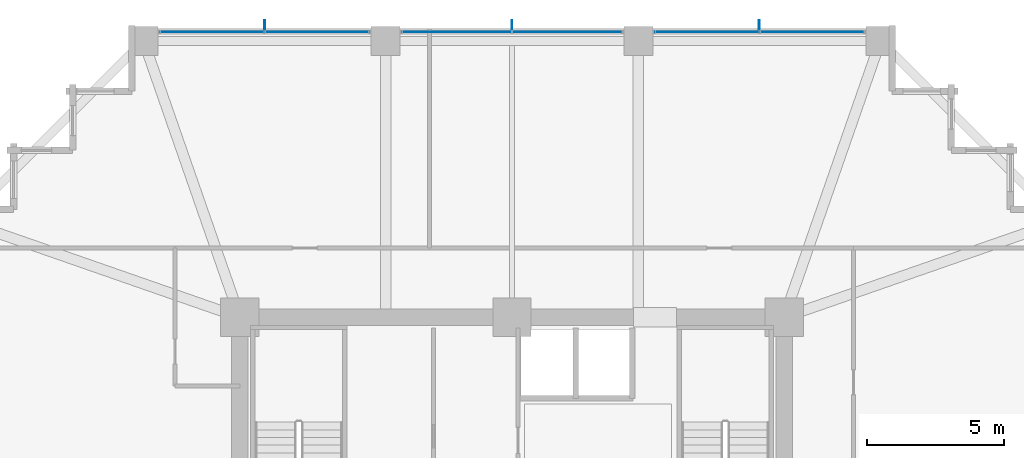
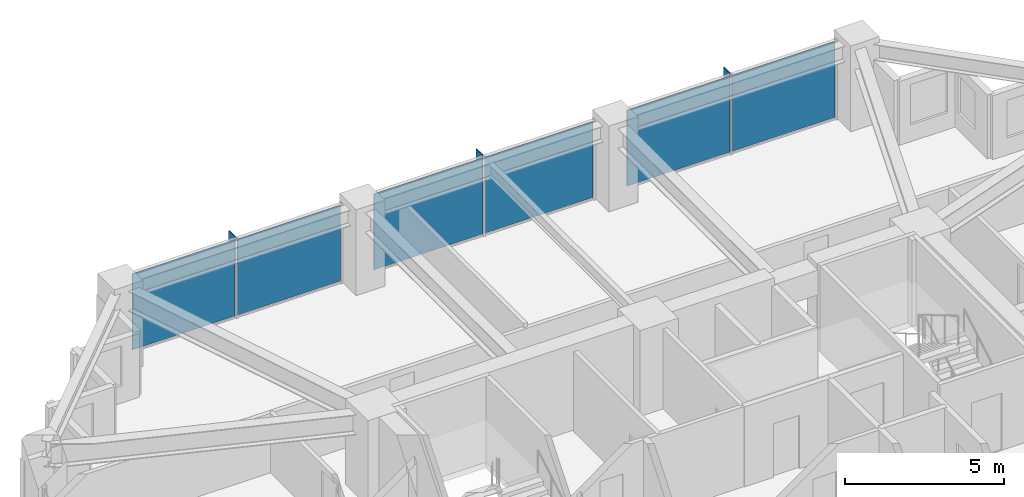
# One storey, part 29 of 36: 9 plates, 3 elements without a shape of their own.
"""IFC4 building model written with IfcOpenShell, lengths in metres."""

from ifc_helpers import new_model, si_unit, direction, frame, origin, origin_2d, place, context, subcontext, project, spatial, rectangle, extrude, material, layer, layer_set, type_object, element, aggregate, save


model = new_model("IFC4")

# Units and contexts
model_context = context("Model", 3, precision=1e-05, world=origin(), true_north=direction((0.0, 1.0)))
body_context = subcontext(model_context, "Body", "Model", "MODEL_VIEW")
ifc_project = project(units=[si_unit("LENGTHUNIT", "METRE"), si_unit("AREAUNIT", "SQUARE_METRE"), si_unit("VOLUMEUNIT", "CUBIC_METRE"), si_unit("PLANEANGLEUNIT", "RADIAN"), si_unit("MASSUNIT", "GRAM", prefix="KILO")], contexts=[model_context])

# Site, building, storey
site_placement = place(None, origin())
site = spatial("IfcSite", under=ifc_project, at=site_placement, CompositionType="ELEMENT")
building_placement = place(site_placement, origin())
building = spatial("IfcBuilding", under=site, at=building_placement, Name="Kolvaren Belvedere", CompositionType="ELEMENT")
storey_placement = place(building_placement, frame((0.0, 0.0, 92.0)))
storey = spatial("IfcBuildingStorey", under=building, at=storey_placement, Name="L26", CompositionType="ELEMENT", Elevation=92.0)

# Curtain wall, plates
ifc_material_1 = material(Name="Anodised pale-metal aluminium AA 6063-T6", Category="aluminium")
curtain_wall_type = type_object("IfcCurtainWallType", Name="CW-Z2-MID", PredefinedType="NOTDEFINED", material=ifc_material_1)
curtain_wall_1_placement = place(storey_placement, origin())
curtain_wall_1 = element("IfcCurtainWall", 1, at=curtain_wall_1_placement, inside=storey, type_object=curtain_wall_type, Name="L26 Unitised Curtain Wall FCW-L26-N-B1", PredefinedType="NOTDEFINED")
ifc_material_2 = material(Name="Low-iron triple insulated glass", Category="glass")
ifc_layer_1 = layer(ifc_material_2, 0.028076171875)
ifc_layer_set_1 = layer_set([ifc_layer_1], Name="Low-iron triple insulated glass")
plate_type_1 = type_object("IfcPlateType", Name="CW-PNL-VIS28", PredefinedType="CURTAIN_PANEL", material=ifc_layer_set_1)
plate_1_placement = place(storey_placement, frame((-10.9111328125, 20.280029296875, 0.080078125), z_axis=(0.0, 0.0, 1.0), x_axis=(1.0, 0.0, 0.0)))
plate_1 = element("IfcPlate", 2, at=plate_1_placement, type_object=plate_type_1, Name="FCW-L26-N-B1 Vision Glazing Panel 1", PredefinedType="CURTAIN_PANEL", context=body_context, shape_type="SweptSolid", body=[
    extrude(rectangle(XDim=3.742431640625, YDim=0.028076171875, at=origin_2d()), origin(), (0.0, 0.0, 1.0), 2.919921875),
])
plate_2_placement = place(storey_placement, frame((-7.0888671875, 20.280029296875, 0.080078125), z_axis=(0.0, 0.0, 1.0), x_axis=(1.0, 0.0, 0.0)))
plate_2 = element("IfcPlate", 3, at=plate_2_placement, type_object=plate_type_1, Name="FCW-L26-N-B1 Vision Glazing Panel 2", PredefinedType="CURTAIN_PANEL", context=body_context, shape_type="SweptSolid", body=[
    extrude(rectangle(XDim=3.742431640625, YDim=0.028076171875, at=origin_2d()), origin(), (0.0, 0.0, 1.0), 2.919921875),
])
aggregate(curtain_wall_1, [plate_1, plate_2])

curtain_wall_2_placement = place(storey_placement, origin())
curtain_wall_2 = element("IfcCurtainWall", 4, at=curtain_wall_2_placement, inside=storey, type_object=curtain_wall_type, Name="L26 Unitised Curtain Wall FCW-L26-N-B2", PredefinedType="NOTDEFINED")
plate_3_placement = place(storey_placement, frame((-2.01123046875, 20.280029296875, 0.080078125), z_axis=(0.0, 0.0, 1.0), x_axis=(1.0, 0.0, 0.0)))
plate_3 = element("IfcPlate", 5, at=plate_3_placement, type_object=plate_type_1, Name="FCW-L26-N-B2 Vision Glazing Panel 1", PredefinedType="CURTAIN_PANEL", context=body_context, shape_type="SweptSolid", body=[
    extrude(rectangle(XDim=3.9423828125, YDim=0.028076171875, at=origin_2d()), origin(), (0.0, 0.0, 1.0), 2.919921875),
])
plate_4_placement = place(storey_placement, frame((2.01123046875, 20.280029296875, 0.080078125), z_axis=(0.0, 0.0, 1.0), x_axis=(1.0, 0.0, 0.0)))
plate_4 = element("IfcPlate", 6, at=plate_4_placement, type_object=plate_type_1, Name="FCW-L26-N-B2 Vision Glazing Panel 2", PredefinedType="CURTAIN_PANEL", context=body_context, shape_type="SweptSolid", body=[
    extrude(rectangle(XDim=3.9423828125, YDim=0.028076171875, at=origin_2d()), origin(), (0.0, 0.0, 1.0), 2.919921875),
])
aggregate(curtain_wall_2, [plate_3, plate_4])

curtain_wall_3_placement = place(storey_placement, origin())
curtain_wall_3 = element("IfcCurtainWall", 7, at=curtain_wall_3_placement, inside=storey, type_object=curtain_wall_type, Name="L26 Unitised Curtain Wall FCW-L26-N-B3", PredefinedType="NOTDEFINED")
plate_5_placement = place(storey_placement, frame((7.0888671875, 20.280029296875, 0.080078125), z_axis=(0.0, 0.0, 1.0), x_axis=(1.0, 0.0, 0.0)))
plate_5 = element("IfcPlate", 8, at=plate_5_placement, type_object=plate_type_1, Name="FCW-L26-N-B3 Vision Glazing Panel 1", PredefinedType="CURTAIN_PANEL", context=body_context, shape_type="SweptSolid", body=[
    extrude(rectangle(XDim=3.742431640625, YDim=0.028076171875, at=origin_2d()), origin(), (0.0, 0.0, 1.0), 2.919921875),
])
plate_6_placement = place(storey_placement, frame((10.9111328125, 20.280029296875, 0.080078125), z_axis=(0.0, 0.0, 1.0), x_axis=(1.0, 0.0, 0.0)))
plate_6 = element("IfcPlate", 9, at=plate_6_placement, type_object=plate_type_1, Name="FCW-L26-N-B3 Vision Glazing Panel 2", PredefinedType="CURTAIN_PANEL", context=body_context, shape_type="SweptSolid", body=[
    extrude(rectangle(XDim=3.742431640625, YDim=0.028076171875, at=origin_2d()), origin(), (0.0, 0.0, 1.0), 2.919921875),
])
aggregate(curtain_wall_3, [plate_5, plate_6])

# Plates
ifc_material_3 = material(Name="Anodised pale-metal aluminium AA 6063-T6", Category="aluminium")
ifc_layer_2 = layer(ifc_material_3, 0.033935546875)
ifc_layer_set_2 = layer_set([ifc_layer_2], Name="Anodised pale-metal aluminium AA 6063-T6")
plate_type_2 = type_object("IfcPlateType", Name="FIN-VERT-380", PredefinedType="USERDEFINED", material=ifc_layer_set_2)
for number, where, z_axis, x_axis, name in (
    (10, (-9.0, 20.52490234375, 0.0), (0.0, 0.0, 1.0), (0.0, 1.0, 0.0), "L26 Pale-Metal Vertical Shading Fin FCW-L26-N-B1-1"),
    (11, (0.0, 20.52490234375, 0.0), (0.0, 0.0, 1.0), (0.0, 1.0, 0.0), "L26 Pale-Metal Vertical Shading Fin FCW-L26-N-B2-1"),
    (12, (9.0, 20.52490234375, 0.0), (0.0, 0.0, 1.0), (0.0, 1.0, 0.0), "L26 Pale-Metal Vertical Shading Fin FCW-L26-N-B3-1"),
):
    element("IfcPlate", number, at=place(storey_placement, frame(where, z_axis=z_axis, x_axis=x_axis)), inside=storey, type_object=plate_type_2, Name=name, ObjectType="VERTICAL FIN", PredefinedType="USERDEFINED", context=body_context, shape_type="SweptSolid", body=[
        extrude(rectangle(XDim=0.3798828125, YDim=0.033935546875, at=origin_2d()), origin(), (0.0, 0.0, 1.0), 3.080078125),
    ])

save(model, "model.ifc")
